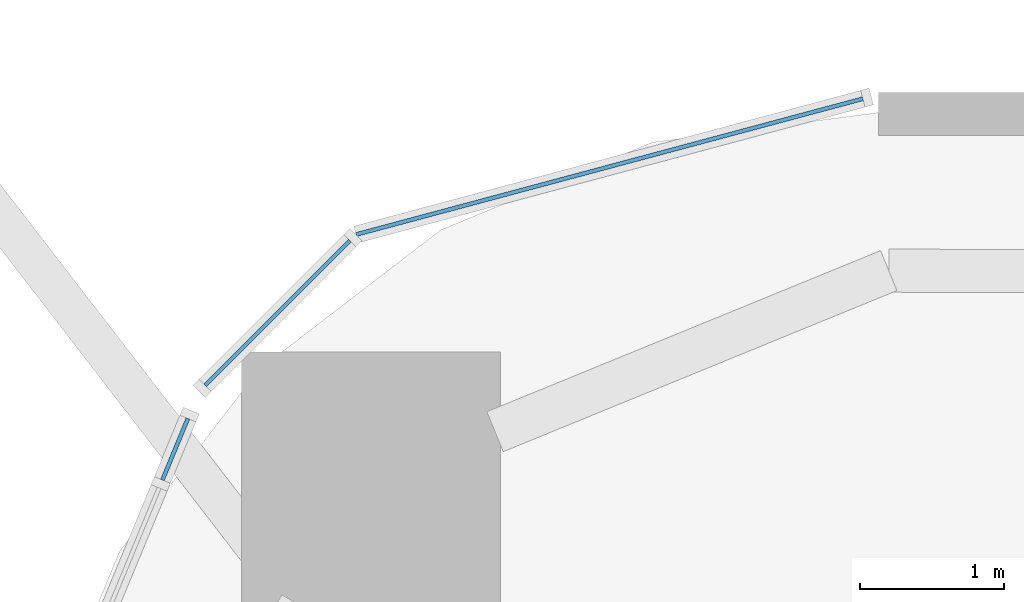
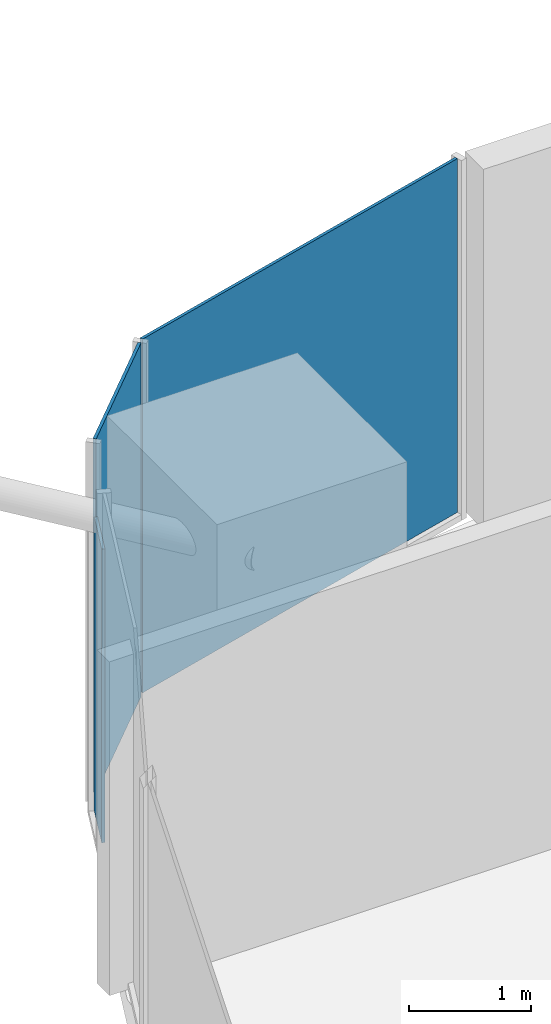
# One storey, part 22 of 35: 3 plates, 3 elements without a shape of their own.
"""IFC4 building model written with IfcOpenShell, lengths in metres."""

from ifc_helpers import new_model, si_unit, direction, frame, origin, origin_2d, place, context, subcontext, project, spatial, rectangle, extrude, material, layer, layer_set, type_object, element, aggregate, save


model = new_model("IFC4")

# Units and contexts
model_context = context("Model", 3, precision=1e-05, world=origin(), true_north=direction((0.0, 1.0)))
body_context = subcontext(model_context, "Body", "Model", "MODEL_VIEW")
ifc_project = project(units=[si_unit("LENGTHUNIT", "METRE"), si_unit("AREAUNIT", "SQUARE_METRE"), si_unit("VOLUMEUNIT", "CUBIC_METRE"), si_unit("PLANEANGLEUNIT", "RADIAN"), si_unit("MASSUNIT", "GRAM", prefix="KILO")], contexts=[model_context])

# Site, building, storey
site_placement = place(None, origin())
site = spatial("IfcSite", under=ifc_project, at=site_placement, CompositionType="ELEMENT")
building_placement = place(site_placement, origin())
building = spatial("IfcBuilding", under=site, at=building_placement, Name="Marenta Gate Hotel Tower", CompositionType="ELEMENT")
storey_placement = place(building_placement, frame((0.0, 0.0, 61.699951171875)))
storey = spatial("IfcBuildingStorey", under=building, at=storey_placement, Name="L13", CompositionType="ELEMENT", Elevation=61.699951171875)

# Curtain wall, plate
ifc_material_1 = material(Name="Tinted insulated glass in bronze anodised frame", Category="glass")
ifc_layer_1 = layer(ifc_material_1, 0.1201171875)
ifc_layer_set_1 = layer_set([ifc_layer_1], Name="Tinted insulated glass in bronze anodised frame")
curtain_wall_type = type_object("IfcCurtainWallType", Name="Tower unitised curtain wall CW1", PredefinedType="NOTDEFINED", material=ifc_layer_set_1)
curtain_wall_1_placement = place(storey_placement, origin())
curtain_wall_1 = element("IfcCurtainWall", 1, at=curtain_wall_1_placement, inside=storey, type_object=curtain_wall_type, Name="CW1 run G00", PredefinedType="NOTDEFINED")
ifc_material_2 = material(Name="Tinted insulated glass", Category="glass")
ifc_layer_2 = layer(ifc_material_2, 0.028076171875)
ifc_layer_set_2 = layer_set([ifc_layer_2], Name="Tinted insulated glass")
plate_type = type_object("IfcPlateType", Name="Glass panel CW1 28 mm tinted insulated unit", PredefinedType="CURTAIN_PANEL", material=ifc_layer_set_2)
plate_1_placement = place(storey_placement, frame((-25.277099609375, 33.3232421875, 0.06005859375), z_axis=(0.0, 0.0, 1.0), x_axis=(-0.965930485164, -0.258801657317, 0.0)))
plate_1 = element("IfcPlate", 2, at=plate_1_placement, type_object=plate_type, Name="CW1 panel 1.1", PredefinedType="CURTAIN_PANEL", context=body_context, shape_type="SweptSolid", body=[
    extrude(rectangle(XDim=3.64990234375, YDim=0.028076171875, at=origin_2d()), origin(), (0.0, 0.0, 1.0), 3.5400390625),
])
aggregate(curtain_wall_1, [plate_1])

curtain_wall_2_placement = place(storey_placement, origin())
curtain_wall_2 = element("IfcCurtainWall", 3, at=curtain_wall_2_placement, inside=storey, type_object=curtain_wall_type, Name="CW1 run G01", PredefinedType="NOTDEFINED")
plate_2_placement = place(storey_placement, frame((-27.58544921875, 32.305419921875, 0.06005859375), z_axis=(0.0, 0.0, 1.0), x_axis=(-0.707106781187, -0.707106781187, 0.0)))
plate_2 = element("IfcPlate", 4, at=plate_2_placement, type_object=plate_type, Name="CW1 panel 1.1", PredefinedType="CURTAIN_PANEL", context=body_context, shape_type="SweptSolid", body=[
    extrude(rectangle(XDim=1.4228515625, YDim=0.028076171875, at=origin_2d()), origin(), (0.0, 0.0, 1.0), 3.5400390625),
])
aggregate(curtain_wall_2, [plate_2])

curtain_wall_3_placement = place(storey_placement, origin())
curtain_wall_3 = element("IfcCurtainWall", 5, at=curtain_wall_3_placement, inside=storey, type_object=curtain_wall_type, Name="CW1 run G02", PredefinedType="NOTDEFINED")
plate_3_placement = place(storey_placement, frame((-28.29736328125, 31.35791015625, 0.06005859375), z_axis=(0.0, 0.0, 1.0), x_axis=(-0.382684306245, -0.923879170538, 0.0)))
plate_3 = element("IfcPlate", 6, at=plate_3_placement, type_object=plate_type, Name="CW1 panel 1.1", PredefinedType="CURTAIN_PANEL", context=body_context, shape_type="SweptSolid", body=[
    extrude(rectangle(XDim=0.46240234375, YDim=0.028076171875, at=origin_2d()), origin(), (0.0, 0.0, 1.0), 2.9404296875),
])
aggregate(curtain_wall_3, [plate_3])

save(model, "model.ifc")
